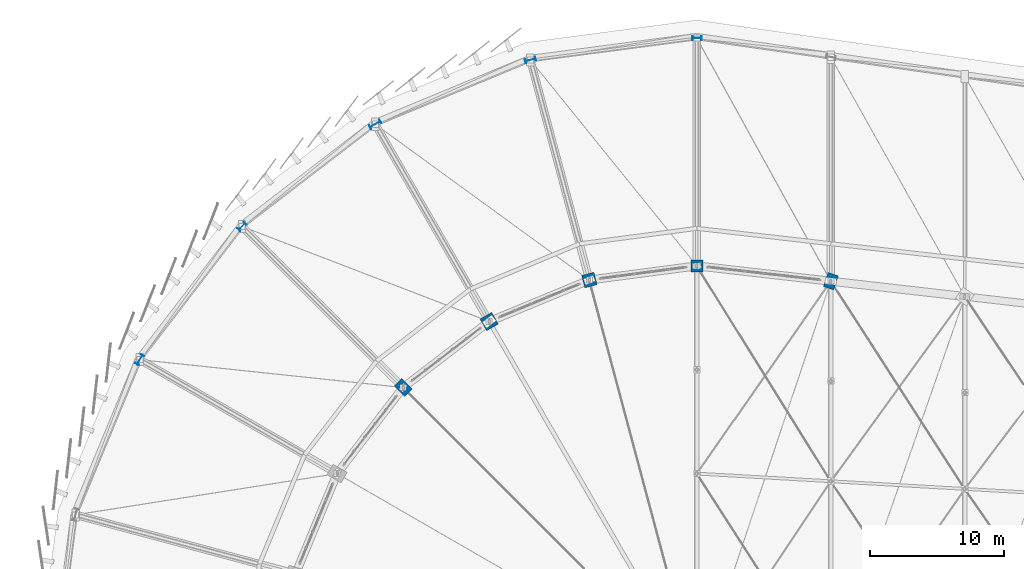
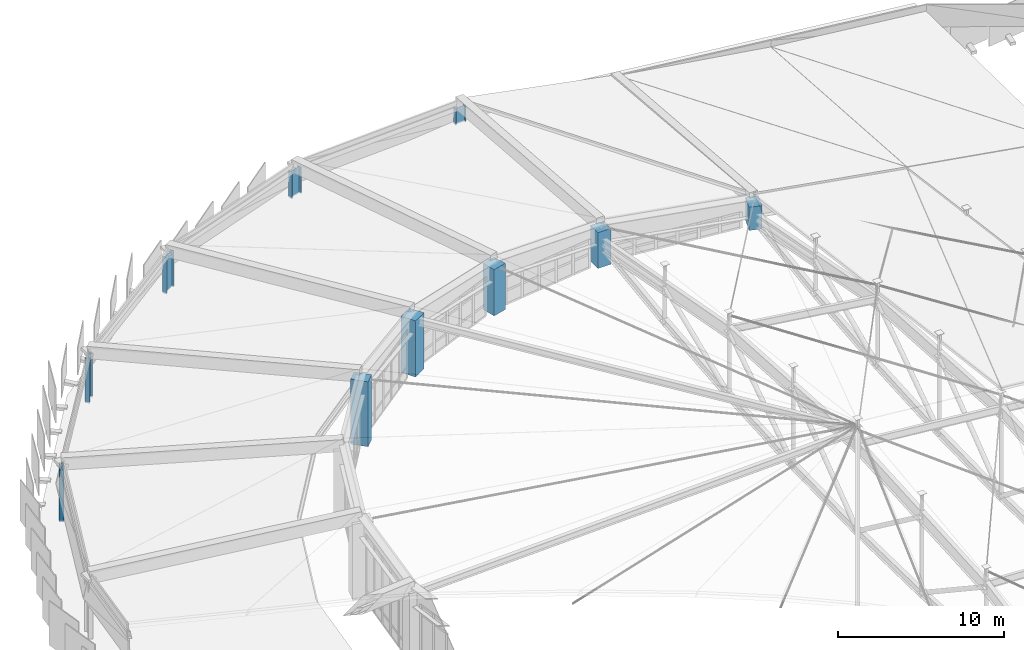
# One storey, part 4 of 68: 10 columns.
"""IFC4 building model written with IfcOpenShell, lengths in metres."""

from ifc_helpers import new_model, si_unit, direction, frame, origin, origin_2d, place, context, subcontext, project, spatial, rectangle, i_section, extrude, material, material_profile, profile_set, type_object, element, save


model = new_model("IFC4")

# Units and contexts
model_context = context("Model", 3, precision=1e-05, world=origin(), true_north=direction((0.0, 1.0)))
body_context = subcontext(model_context, "Body", "Model", "MODEL_VIEW")
ifc_project = project(units=[si_unit("LENGTHUNIT", "METRE"), si_unit("AREAUNIT", "SQUARE_METRE"), si_unit("VOLUMEUNIT", "CUBIC_METRE"), si_unit("PLANEANGLEUNIT", "RADIAN"), si_unit("MASSUNIT", "GRAM", prefix="KILO")], contexts=[model_context])

# Site, building, storey
site_placement = place(None, origin())
site = spatial("IfcSite", under=ifc_project, at=site_placement, CompositionType="ELEMENT")
building_placement = place(site_placement, origin())
building = spatial("IfcBuilding", under=site, at=building_placement, Name="Sohan Crest Arena", CompositionType="ELEMENT")
storey_placement = place(building_placement, frame((0.0, 0.0, 27.0)))
storey = spatial("IfcBuildingStorey", under=building, at=storey_placement, Name="RF", CompositionType="ELEMENT", Elevation=27.0)

# Columns
ifc_material_1 = material(Name="Concrete C40/50", Category="concrete")
ifc_material_profile_1 = material_profile(ifc_material_1, rectangle(XDim=0.89990234375, YDim=0.89990234375, at=origin_2d()), Name="RC 900x900")
ifc_profile_set_1 = profile_set([ifc_material_profile_1], Name="Concrete C40/50")
column_type_1 = type_object("IfcColumnType", Name="STR-COL-C07", PredefinedType="COLUMN", material=ifc_profile_set_1)
column_1_placement = place(storey_placement, frame((98.0, 109.0, 0.0), z_axis=(0.0, 0.0, 1.0), x_axis=(0.0, 1.0, 0.0)))
element("IfcColumn", 1, at=column_1_placement, inside=storey, type_object=column_type_1, Name="Structural column COL-V1R-01-RF", PredefinedType="COLUMN", context=body_context, shape_type="SweptSolid", body=[
    extrude(rectangle(XDim=0.89990234375, YDim=0.89990234375, at=origin_2d()), origin(), (0.0, 0.0, 1.0), 2.64111328125),
])
ifc_material_profile_2 = material_profile(ifc_material_1, rectangle(XDim=0.949951171875, YDim=0.949951171875, at=origin_2d()), Name="RC 950x950")
ifc_profile_set_2 = profile_set([ifc_material_profile_2], Name="Concrete C40/50")
column_type_2 = type_object("IfcColumnType", Name="STR-COL-C08", PredefinedType="COLUMN", material=ifc_profile_set_2)
column_2_placement = place(storey_placement, frame((89.97705078125, 107.944091796875, 0.0), z_axis=(0.0, 0.0, 1.0), x_axis=(-0.258819045103, 0.965925826289, 0.0)))
element("IfcColumn", 2, at=column_2_placement, inside=storey, type_object=column_type_2, Name="Structural column COL-V1R-02-RF", PredefinedType="COLUMN", context=body_context, shape_type="SweptSolid", body=[
    extrude(rectangle(XDim=0.949951171875, YDim=0.949951171875, at=origin_2d()), origin(), (0.0, 0.0, 1.0), 3.407958984375),
])
ifc_material_profile_3 = material_profile(ifc_material_1, rectangle(XDim=1.0, YDim=1.0, at=origin_2d()), Name="RC 1000x1000")
ifc_profile_set_3 = profile_set([ifc_material_profile_3], Name="Concrete C40/50")
column_type_3 = type_object("IfcColumnType", Name="STR-COL-C09", PredefinedType="COLUMN", material=ifc_profile_set_3)
column_3_placement = place(storey_placement, frame((82.5, 104.846923828125, 0.0), z_axis=(0.0, 0.0, 1.0), x_axis=(-0.5, 0.866025403784, 0.0)))
element("IfcColumn", 3, at=column_3_placement, inside=storey, type_object=column_type_3, Name="Structural column COL-V1R-03-RF", PredefinedType="COLUMN", context=body_context, shape_type="SweptSolid", body=[
    extrude(rectangle(XDim=1.0, YDim=1.0, at=origin_2d()), origin(), (0.0, 0.0, 1.0), 4.137939453125),
])
ifc_material_profile_4 = material_profile(ifc_material_1, rectangle(XDim=1.10009765625, YDim=0.800048828125, at=origin_2d()), Name="RC 1100x800")
ifc_profile_set_4 = profile_set([ifc_material_profile_4], Name="Concrete C40/50")
column_type_4 = type_object("IfcColumnType", Name="STR-COL-C10", PredefinedType="COLUMN", material=ifc_profile_set_4)
column_4_placement = place(storey_placement, frame((76.080078125, 99.919921875, 0.0), z_axis=(0.0, 0.0, 1.0), x_axis=(-0.707106781187, 0.707106781187, 0.0)))
element("IfcColumn", 4, at=column_4_placement, inside=storey, type_object=column_type_4, Name="Structural column COL-V1R-04-RF", PredefinedType="COLUMN", context=body_context, shape_type="SweptSolid", body=[
    extrude(rectangle(XDim=1.10009765625, YDim=0.800048828125, at=origin_2d()), origin(), (0.0, 0.0, 1.0), 4.777099609375),
])
column_5_placement = place(storey_placement, frame((108.0, 107.85693359375, 0.0), z_axis=(0.0, 0.0, 1.0), x_axis=(0.317304656405, 0.948323655206, 0.0)))
element("IfcColumn", 5, at=column_5_placement, inside=storey, type_object=column_type_4, Name="Structural column COL-V1R-34-RF", PredefinedType="COLUMN", context=body_context, shape_type="SweptSolid", body=[
    extrude(rectangle(XDim=1.10009765625, YDim=0.800048828125, at=origin_2d()), origin(), (0.0, 0.0, 1.0), 1.712890625),
])
ifc_material_2 = material(Name="Steel S355", Category="steel")
ifc_material_profile_5 = material_profile(ifc_material_2, i_section(OverallWidth=0.300048828125, OverallDepth=0.699951171875, WebThickness=0.01708984375, FlangeThickness=0.031982421875, at=origin_2d()), Name="HEB 700")
ifc_profile_set_5 = profile_set([ifc_material_profile_5], Name="Steel S355")
column_type_5 = type_object("IfcColumnType", Name="STR-COL-C21", PredefinedType="COLUMN", material=ifc_profile_set_5)
column_6_placement = place(storey_placement, frame((98.0, 126.0, 0.0), z_axis=(0.0, 0.0, 1.0), x_axis=(0.0, 1.0, 0.0)))
element("IfcColumn", 6, at=column_6_placement, inside=storey, type_object=column_type_5, Name="Structural column COL-V2O-01-RF", PredefinedType="COLUMN", context=body_context, shape_type="SweptSolid", body=[
    extrude(i_section(OverallWidth=0.300048828125, OverallDepth=0.699951171875, WebThickness=0.01708984375, FlangeThickness=0.031982421875, at=origin_2d()), origin(), (0.0, 0.0, 1.0), 1.19091796875),
])
column_7_placement = place(storey_placement, frame((64.05908203125, 111.94091796875, 0.0), z_axis=(0.0, 0.0, 1.0), x_axis=(-0.707106781187, 0.707106781187, 0.0)))
element("IfcColumn", 7, at=column_7_placement, inside=storey, type_object=column_type_5, Name="Structural column COL-V2O-04-RF", PredefinedType="COLUMN", context=body_context, shape_type="SweptSolid", body=[
    extrude(i_section(OverallWidth=0.300048828125, OverallDepth=0.699951171875, WebThickness=0.01708984375, FlangeThickness=0.031982421875, at=origin_2d()), origin(), (0.0, 0.0, 1.0), 3.326904296875),
])
ifc_material_profile_6 = material_profile(ifc_material_2, i_section(OverallWidth=0.300048828125, OverallDepth=0.800048828125, WebThickness=0.017578125, FlangeThickness=0.032958984375, at=origin_2d()), Name="HEB 800")
ifc_profile_set_6 = profile_set([ifc_material_profile_6], Name="Steel S355")
column_type_6 = type_object("IfcColumnType", Name="STR-COL-C22", PredefinedType="COLUMN", material=ifc_profile_set_6)
column_8_placement = place(storey_placement, frame((85.576904296875, 124.364013671875, 0.0), z_axis=(0.0, 0.0, 1.0), x_axis=(-0.258819045103, 0.965925826289, 0.0)))
element("IfcColumn", 8, at=column_8_placement, inside=storey, type_object=column_type_6, Name="Structural column COL-V2O-02-RF", PredefinedType="COLUMN", context=body_context, shape_type="SweptSolid", body=[
    extrude(i_section(OverallWidth=0.300048828125, OverallDepth=0.800048828125, WebThickness=0.017578125, FlangeThickness=0.032958984375, at=origin_2d()), origin(), (0.0, 0.0, 1.0), 1.9580078125),
])
column_9_placement = place(storey_placement, frame((56.430908203125, 102.0, 0.0), z_axis=(0.0, 0.0, 1.0), x_axis=(-0.866025403784, 0.5, 0.0)))
element("IfcColumn", 9, at=column_9_placement, inside=storey, type_object=column_type_6, Name="Structural column COL-V2O-05-RF", PredefinedType="COLUMN", context=body_context, shape_type="SweptSolid", body=[
    extrude(i_section(OverallWidth=0.300048828125, OverallDepth=0.800048828125, WebThickness=0.017578125, FlangeThickness=0.032958984375, at=origin_2d()), origin(), (0.0, 0.0, 1.0), 3.823974609375),
])
ifc_material_profile_7 = material_profile(ifc_material_2, i_section(OverallWidth=0.300048828125, OverallDepth=0.89990234375, WebThickness=0.0185546875, FlangeThickness=0.034912109375, at=origin_2d()), Name="HEB 900")
ifc_profile_set_7 = profile_set([ifc_material_profile_7], Name="Steel S355")
column_type_7 = type_object("IfcColumnType", Name="STR-COL-C23", PredefinedType="COLUMN", material=ifc_profile_set_7)
column_10_placement = place(storey_placement, frame((74.0, 119.569091796875, 0.0), z_axis=(0.0, 0.0, 1.0), x_axis=(-0.5, 0.866025403784, 0.0)))
element("IfcColumn", 10, at=column_10_placement, inside=storey, type_object=column_type_7, Name="Structural column COL-V2O-03-RF", PredefinedType="COLUMN", context=body_context, shape_type="SweptSolid", body=[
    extrude(i_section(OverallWidth=0.300048828125, OverallDepth=0.89990234375, WebThickness=0.0185546875, FlangeThickness=0.034912109375, at=origin_2d()), origin(), (0.0, 0.0, 1.0), 2.68798828125),
])

save(model, "model.ifc")
